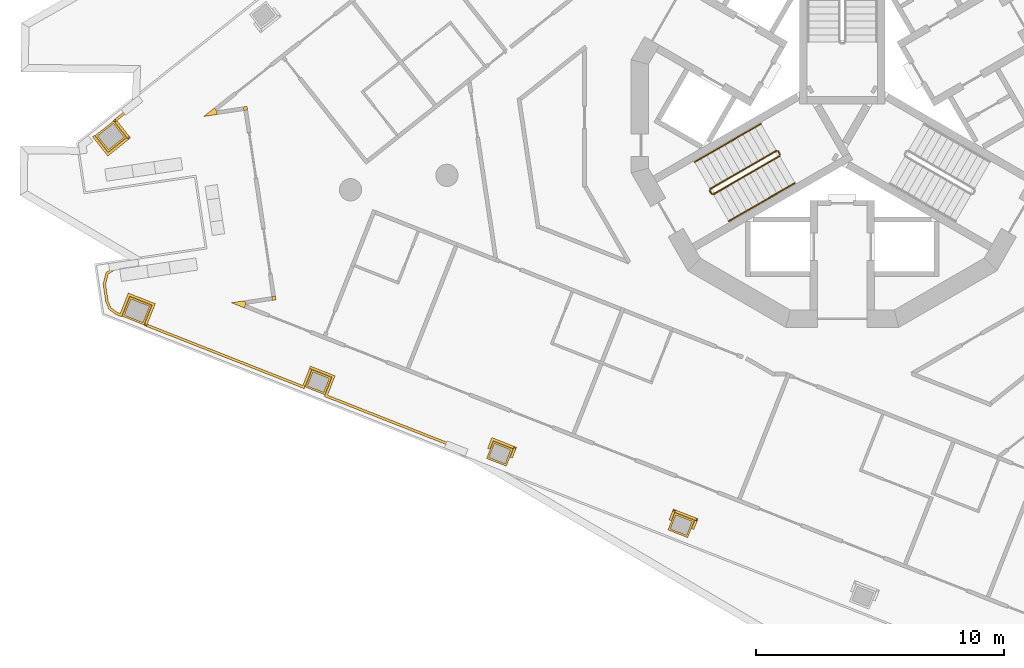
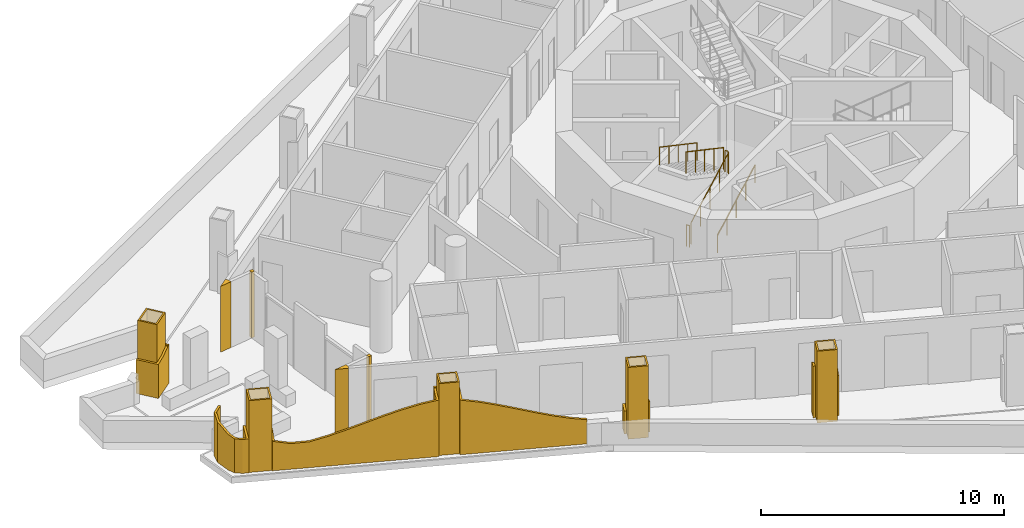
# One storey, part 11 of 16: 12 railings, 9 coverings.
"""IFC4 building model written with IfcOpenShell, lengths in metres."""

from ifc_helpers import new_model, si_unit, direction, frame, origin, origin_2d, place, context, subcontext, project, spatial, polyline, circle, outline, extrude, material, layer, layer_set, type_object, element, save


model = new_model("IFC4")

# Units and contexts
model_context = context("Model", 3, precision=1e-05, world=origin(), true_north=direction((0.0, 1.0)))
body_context = subcontext(model_context, "Body", "Model", "MODEL_VIEW")
ifc_project = project(units=[si_unit("LENGTHUNIT", "METRE"), si_unit("AREAUNIT", "SQUARE_METRE"), si_unit("VOLUMEUNIT", "CUBIC_METRE"), si_unit("PLANEANGLEUNIT", "RADIAN"), si_unit("MASSUNIT", "GRAM", prefix="KILO")], contexts=[model_context])

# Site, building, storey
site_placement = place(None, origin())
site = spatial("IfcSite", under=ifc_project, at=site_placement, CompositionType="ELEMENT")
building_placement = place(site_placement, origin())
building = spatial("IfcBuilding", under=site, at=building_placement, Name="Trine Commons Tower", CompositionType="ELEMENT")
storey_placement = place(building_placement, frame((0.0, 0.0, 198.0)))
storey = spatial("IfcBuildingStorey", under=building, at=storey_placement, Name="L51", CompositionType="ELEMENT", Elevation=198.0)

# Coverings
ifc_material_1 = material(Name="Aluminium-framed insulated wall panel", Category="aluminium")
ifc_layer_1 = layer(ifc_material_1, 0.14990234375)
ifc_layer_set_1 = layer_set([ifc_layer_1], Name="Aluminium-framed insulated wall panel")
covering_type_1 = type_object("IfcCoveringType", Name="Glazing corner post, aluminium", PredefinedType="CLADDING", material=ifc_layer_set_1)
covering_1_placement = place(storey_placement, origin())
element("IfcCovering", 1, at=covering_1_placement, inside=storey, type_object=covering_type_1, Name="Glazing corner post 6-01", PredefinedType="CLADDING", context=body_context, shape_type="SweptSolid", body=[
    extrude(outline(polyline([(54.83642578125, 62.5712890625), (54.814208984375, 62.7197265625), (54.720947265625, 62.837158203125), (54.28271484375, 62.488525390625), (54.83642578125, 62.5712890625)])), origin(), (0.0, 0.0, 1.0), 3.300048828125),
])
covering_2_placement = place(storey_placement, origin())
element("IfcCovering", 2, at=covering_2_placement, inside=storey, type_object=covering_type_1, Name="Glazing corner post 6-10", PredefinedType="CLADDING", context=body_context, shape_type="SweptSolid", body=[
    extrude(outline(polyline([(55.924072265625, 54.78662109375), (55.97900390625, 54.92626953125), (55.956787109375, 55.07470703125), (55.4033203125, 54.991943359375), (55.924072265625, 54.78662109375)])), origin(), (0.0, 0.0, 1.0), 3.300048828125),
])
covering_3_placement = place(storey_placement, origin())
element("IfcCovering", 3, at=covering_3_placement, inside=storey, type_object=covering_type_1, Name="Glazing corner post 6-11", PredefinedType="CLADDING", context=body_context, shape_type="SweptSolid", body=[
    extrude(outline(polyline([(57.030517578125, 55.235107421875), (57.052734375, 55.0869140625), (57.201171875, 55.10888671875), (57.178955078125, 55.25732421875), (57.030517578125, 55.235107421875)])), origin(), (0.0, 0.0, 1.0), 3.300048828125),
])
covering_4_placement = place(storey_placement, origin())
element("IfcCovering", 4, at=covering_4_placement, inside=storey, type_object=covering_type_1, Name="Glazing corner post 6-12", PredefinedType="CLADDING", context=body_context, shape_type="SweptSolid", body=[
    extrude(outline(polyline([(55.91015625, 62.731689453125), (55.91015625, 62.731689453125), (56.05859375, 62.75390625), (56.036376953125, 62.90234375), (55.887939453125, 62.880126953125), (55.91015625, 62.731689453125)])), origin(), (0.0, 0.0, 1.0), 3.300048828125),
])
ifc_material_2 = material(Name="Limestone, honed", Category="masonry")
ifc_layer_2 = layer(ifc_material_2, 0.074951171875)
ifc_layer_set_2 = layer_set([ifc_layer_2], Name="Limestone, honed")
covering_type_2 = type_object("IfcCoveringType", Name="Limestone column cladding 75", PredefinedType="CLADDING", material=ifc_layer_set_2)
covering_5_placement = place(storey_placement, origin())
element("IfcCovering", 5, at=covering_5_placement, inside=storey, type_object=covering_type_2, Name="Limestone pier cladding 6-04", PredefinedType="CLADDING", context=body_context, shape_type="SweptSolid", body=[
    extrude(outline(polyline([(73.25830078125, 46.545166015625), (72.9833984375, 45.847412109375), (73.7744140625, 45.535888671875), (74.04931640625, 46.233642578125), (73.25830078125, 46.545166015625)]), holes=[polyline([(73.30078125, 46.447998046875), (73.080810546875, 45.8896484375), (73.732177734375, 45.633056640625), (73.951904296875, 46.19140625), (73.30078125, 46.447998046875)])]), origin(), (0.0, 0.0, 1.0), 3.60009765625),
])
covering_6_placement = place(storey_placement, origin())
element("IfcCovering", 6, at=covering_6_placement, inside=storey, type_object=covering_type_2, Name="Limestone pier cladding 6-05", PredefinedType="CLADDING", context=body_context, shape_type="SweptSolid", body=[
    extrude(outline(polyline([(65.9541015625, 49.42236328125), (65.67919921875, 48.724609375), (66.47021484375, 48.4130859375), (66.7451171875, 49.11083984375), (65.9541015625, 49.42236328125)]), holes=[polyline([(65.996337890625, 49.3251953125), (65.776611328125, 48.766845703125), (66.427734375, 48.51025390625), (66.647705078125, 49.068603515625), (65.996337890625, 49.3251953125)])]), origin(), (0.0, 0.0, 1.0), 3.60009765625),
])
covering_7_placement = place(storey_placement, origin())
element("IfcCovering", 7, at=covering_7_placement, inside=storey, type_object=covering_type_2, Name="Limestone pier cladding 6-06", PredefinedType="CLADDING", context=body_context, shape_type="SweptSolid", body=[
    extrude(outline(polyline([(58.64990234375, 52.2998046875), (58.375, 51.601806640625), (59.165771484375, 51.290283203125), (59.440673828125, 51.988037109375), (58.64990234375, 52.2998046875)]), holes=[polyline([(58.692138671875, 52.202392578125), (58.47216796875, 51.644287109375), (59.12353515625, 51.3876953125), (59.343505859375, 51.94580078125), (58.692138671875, 52.202392578125)])]), origin(), (0.0, 0.0, 1.0), 3.60009765625),
])
covering_8_placement = place(storey_placement, origin())
element("IfcCovering", 8, at=covering_8_placement, inside=storey, type_object=covering_type_2, Name="Limestone pier cladding 6-07", PredefinedType="CLADDING", context=body_context, shape_type="SweptSolid", body=[
    extrude(outline(polyline([(51.317138671875, 55.24169921875), (51.005615234375, 54.450927734375), (51.8896484375, 54.102783203125), (52.201171875, 54.8935546875), (51.317138671875, 55.24169921875)]), holes=[polyline([(51.359619140625, 55.14453125), (51.10302734375, 54.493408203125), (51.847412109375, 54.2001953125), (52.103759765625, 54.851318359375), (51.359619140625, 55.14453125)])]), origin(), (0.0, 0.0, 1.0), 3.60009765625),
])
covering_9_placement = place(storey_placement, origin())
element("IfcCovering", 9, at=covering_9_placement, inside=storey, type_object=covering_type_2, Name="Limestone pier cladding 6-08", PredefinedType="CLADDING", context=body_context, shape_type="SweptSolid", body=[
    extrude(outline(polyline([(51.19189453125, 61.646484375), (50.662841796875, 62.311767578125), (49.919189453125, 61.72021484375), (50.448486328125, 61.05517578125), (51.19189453125, 61.646484375)]), holes=[polyline([(51.08642578125, 61.658447265625), (50.65087890625, 62.206298828125), (50.024658203125, 61.708251953125), (50.46044921875, 61.160400390625), (51.08642578125, 61.658447265625)])]), origin(), (0.0, 0.0, 1.0), 3.60009765625),
])

# Railings
ifc_material_3 = material(Name="Stainless steel balustrade", Category="steel")
railing_type_1 = type_object("IfcRailingType", Name="Stair guard, steel balustrade 1100", PredefinedType="GUARDRAIL", material=ifc_material_3)
railing_1_placement = place(storey_placement, frame((74.80517578125, 59.3564453125, 0.14990234375)))
element("IfcRailing", 10, at=railing_1_placement, inside=storey, type_object=railing_type_1, Name="L51 ST2C stair guard 1", PredefinedType="GUARDRAIL", context=body_context, shape_type="SweptSolid", body=[
    extrude(circle(Radius=0.02392578125, at=origin_2d()), frame((0.0, 0.0, 1.076171875), z_axis=(0.763379768245, 0.440728498818, 0.472239049384), x_axis=(-0.499992328818, 0.866029832698, 0.0)), (0.0, 0.0, 1.0), 3.494384765625),
    extrude(circle(Radius=0.02099609375, at=origin_2d()), origin(), (0.0, 0.0, 1.0), 1.052001953125),
    extrude(circle(Radius=0.02099609375, at=origin_2d()), frame((0.6669921875, 0.385009765625, 0.41259765625)), (0.0, 0.0, 1.0), 1.052001953125),
    extrude(circle(Radius=0.02099609375, at=origin_2d()), frame((1.333740234375, 0.77001953125, 0.8251953125)), (0.0, 0.0, 1.0), 1.052001953125),
    extrude(circle(Radius=0.02099609375, at=origin_2d()), frame((2.00048828125, 1.155029296875, 1.237548828125)), (0.0, 0.0, 1.0), 1.052001953125),
    extrude(circle(Radius=0.02099609375, at=origin_2d()), frame((2.66748046875, 1.5400390625, 1.650146484375)), (0.0, 0.0, 1.0), 1.052001953125),
])
railing_2_placement = place(storey_placement, frame((77.490966796875, 60.96484375, 1.800048828125)))
element("IfcRailing", 11, at=railing_2_placement, inside=storey, type_object=railing_type_1, Name="L51 ST2C stair guard 2", PredefinedType="GUARDRAIL", context=body_context, shape_type="SweptSolid", body=[
    extrude(circle(Radius=0.02392578125, at=origin_2d()), frame((0.0, 0.0, 1.076171875), z_axis=(-0.501036270542, 0.865426285481, 0.0), x_axis=(-0.865426285481, -0.501036270542, 0.0)), (0.0, 0.0, 1.0), 0.150146484375),
    extrude(circle(Radius=0.02099609375, at=origin_2d()), origin(), (0.0, 0.0, 1.0), 1.052001953125),
    extrude(circle(Radius=0.02099609375, at=origin_2d()), frame((-0.0751953125, 0.1298828125, 0.0)), (0.0, 0.0, 1.0), 1.052001953125),
])
railing_3_placement = place(storey_placement, frame((77.34765625, 61.113037109375, 1.949951171875)))
element("IfcRailing", 12, at=railing_3_placement, inside=storey, type_object=railing_type_1, Name="L51 ST2C stair guard 3", PredefinedType="GUARDRAIL", context=body_context, shape_type="SweptSolid", body=[
    extrude(circle(Radius=0.02392578125, at=origin_2d()), frame((0.0, 0.0, 1.076171875), z_axis=(-0.763379768245, -0.440728498818, 0.472239049384), x_axis=(0.499992328818, -0.866029832698, 0.0)), (0.0, 0.0, 1.0), 3.494384765625),
    extrude(circle(Radius=0.02099609375, at=origin_2d()), origin(), (0.0, 0.0, 1.0), 1.052001953125),
    extrude(circle(Radius=0.02099609375, at=origin_2d()), frame((-0.6669921875, -0.385009765625, 0.41259765625)), (0.0, 0.0, 1.0), 1.052001953125),
    extrude(circle(Radius=0.02099609375, at=origin_2d()), frame((-1.333740234375, -0.77001953125, 0.8251953125)), (0.0, 0.0, 1.0), 1.052001953125),
    extrude(circle(Radius=0.02099609375, at=origin_2d()), frame((-2.00048828125, -1.155029296875, 1.237548828125)), (0.0, 0.0, 1.0), 1.052001953125),
    extrude(circle(Radius=0.02099609375, at=origin_2d()), frame((-2.66748046875, -1.5400390625, 1.650146484375)), (0.0, 0.0, 1.0), 1.052001953125),
])
railing_4_placement = place(storey_placement, frame((74.73681640625, 59.374755859375, 0.0)))
element("IfcRailing", 13, at=railing_4_placement, inside=storey, type_object=railing_type_1, Name="L51 ST2C stair guard 4", PredefinedType="GUARDRAIL", context=body_context, shape_type="SweptSolid", body=[
    extrude(circle(Radius=0.02392578125, at=origin_2d()), frame((0.0, 0.0, 1.076171875), z_axis=(-0.499816412211, 0.866131372301, 0.0), x_axis=(-0.866131372301, -0.499816412211, 0.0)), (0.0, 0.0, 1.0), 0.14990234375),
    extrude(circle(Radius=0.02099609375, at=origin_2d()), origin(), (0.0, 0.0, 1.0), 1.052001953125),
    extrude(circle(Radius=0.02099609375, at=origin_2d()), frame((-0.074951171875, 0.1298828125, 0.0)), (0.0, 0.0, 1.0), 1.052001953125),
])
ifc_material_4 = material(Name="Stainless steel handrail", Category="steel")
railing_type_2 = type_object("IfcRailingType", Name="Stair handrail, steel 900", PredefinedType="HANDRAIL", material=ifc_material_4)
railing_5_placement = place(storey_placement, frame((75.43017578125, 58.27392578125, 0.14990234375)))
element("IfcRailing", 14, at=railing_5_placement, inside=storey, type_object=railing_type_2, Name="L51 ST2C stair handrail 1", PredefinedType="HANDRAIL", context=body_context, shape_type="SweptSolid", body=[
    extrude(circle(Radius=0.02099609375, at=origin_2d()), frame((0.0, 0.0, 0.87890625), z_axis=(0.763354580307, 0.440713956853, 0.472293333596), x_axis=(-0.499992328818, 0.866029832698, 0.0)), (0.0, 0.0, 1.0), 1.747314453125),
    extrude(circle(Radius=0.01513671875, at=origin_2d()), origin(), (0.0, 0.0, 1.0), 0.85791015625),
    extrude(circle(Radius=0.01513671875, at=origin_2d()), frame((0.6669921875, 0.385009765625, 0.41259765625)), (0.0, 0.0, 1.0), 0.85791015625),
    extrude(circle(Radius=0.01513671875, at=origin_2d()), frame((1.333740234375, 0.77001953125, 0.8251953125)), (0.0, 0.0, 1.0), 0.85791015625),
])
railing_6_placement = place(storey_placement, frame((76.763916015625, 59.0439453125, 0.97509765625)))
element("IfcRailing", 15, at=railing_6_placement, inside=storey, type_object=railing_type_2, Name="L51 ST2C stair handrail 2", PredefinedType="HANDRAIL", context=body_context, shape_type="SweptSolid", body=[
    extrude(circle(Radius=0.02099609375, at=origin_2d()), frame((0.0, 0.0, 0.87890625), z_axis=(0.76340495495, 0.440743040072, 0.472184759798), x_axis=(-0.499992328818, 0.866029832698, 0.0)), (0.0, 0.0, 1.0), 1.7470703125),
    extrude(circle(Radius=0.01513671875, at=origin_2d()), origin(), (0.0, 0.0, 1.0), 0.85791015625),
    extrude(circle(Radius=0.01513671875, at=origin_2d()), frame((0.6669921875, 0.385009765625, 0.41259765625)), (0.0, 0.0, 1.0), 0.85791015625),
    extrude(circle(Radius=0.01513671875, at=origin_2d()), frame((1.333740234375, 0.77001953125, 0.824951171875)), (0.0, 0.0, 1.0), 0.85791015625),
])
railing_7_placement = place(storey_placement, frame((76.72265625, 62.195556640625, 1.949951171875)))
element("IfcRailing", 16, at=railing_7_placement, inside=storey, type_object=railing_type_2, Name="L51 ST2C stair handrail 3", PredefinedType="HANDRAIL", context=body_context, shape_type="SweptSolid", body=[
    extrude(circle(Radius=0.02099609375, at=origin_2d()), frame((0.0, 0.0, 0.87890625), z_axis=(-0.76340495495, -0.440743040072, 0.472184759798), x_axis=(0.499992328818, -0.866029832698, 0.0)), (0.0, 0.0, 1.0), 1.7470703125),
    extrude(circle(Radius=0.01513671875, at=origin_2d()), origin(), (0.0, 0.0, 1.0), 0.85791015625),
    extrude(circle(Radius=0.01513671875, at=origin_2d()), frame((-0.6669921875, -0.385009765625, 0.41259765625)), (0.0, 0.0, 1.0), 0.85791015625),
    extrude(circle(Radius=0.01513671875, at=origin_2d()), frame((-1.333740234375, -0.77001953125, 0.824951171875)), (0.0, 0.0, 1.0), 0.85791015625),
])
railing_8_placement = place(storey_placement, frame((75.388916015625, 61.425537109375, 2.77490234375)))
element("IfcRailing", 17, at=railing_8_placement, inside=storey, type_object=railing_type_2, Name="L51 ST2C stair handrail 4", PredefinedType="HANDRAIL", context=body_context, shape_type="SweptSolid", body=[
    extrude(circle(Radius=0.02099609375, at=origin_2d()), frame((0.0, 0.0, 0.87890625), z_axis=(-0.763354580307, -0.440713956853, 0.472293333596), x_axis=(0.499992328818, -0.866029832698, 0.0)), (0.0, 0.0, 1.0), 1.747314453125),
    extrude(circle(Radius=0.01513671875, at=origin_2d()), origin(), (0.0, 0.0, 1.0), 0.85791015625),
    extrude(circle(Radius=0.01513671875, at=origin_2d()), frame((-0.6669921875, -0.385009765625, 0.41259765625)), (0.0, 0.0, 1.0), 0.85791015625),
    extrude(circle(Radius=0.01513671875, at=origin_2d()), frame((-1.333740234375, -0.77001953125, 0.8251953125)), (0.0, 0.0, 1.0), 0.85791015625),
])
ifc_material_5 = material(Name="White powder-coated aluminium", Category="aluminium")
ifc_layer_3 = layer(ifc_material_5, 0.10009765625)
ifc_layer_set_3 = layer_set([ifc_layer_3], Name="White powder-coated aluminium")
railing_type_3 = type_object("IfcRailingType", Name="White balustrade band 100", PredefinedType="GUARDRAIL", material=ifc_layer_set_3)
railing_9_placement = place(storey_placement, origin())
element("IfcRailing", 18, at=railing_9_placement, inside=storey, type_object=railing_type_3, Name="Guard band L51 3", PredefinedType="GUARDRAIL", context=body_context, shape_type="SweptSolid", body=[
    extrude(outline(polyline([(0.0, 0.0), (0.4658203125, 0.0), (0.4658203125, 2.169921875), (0.4658203125, 2.169921875), (0.0, 2.00830078125), (0.0, 0.0)])), frame((73.928466796875, 45.899658203125, 0.0), z_axis=(0.93045172225, -0.366414509213, 0.0), x_axis=(0.366414509213, 0.93045172225, 0.0)), (0.0, 0.0, 1.0), 0.10009765625),
    extrude(outline(polyline([(0.0, 0.0), (1.07177734375, 0.0), (1.07177734375, 2.482666015625), (0.535888671875, 2.3154296875), (0.0, 2.134765625), (0.0, 0.0)])), frame((74.15625, 46.2021484375, 0.0), z_axis=(0.366476719469, 0.930427221274, 0.0), x_axis=(-0.930427221274, 0.366476719469, 0.0)), (0.0, 0.0, 1.0), 0.10009765625),
    extrude(outline(polyline([(0.0, 0.0), (0.465576171875, 0.0), (0.465576171875, 2.584716796875), (0.0, 2.452392578125), (0.0, 0.0)])), frame((73.289794921875, 46.651611328125, 0.0), z_axis=(-0.930381292098, 0.36659330506, 0.0), x_axis=(-0.36659330506, -0.930381292098, 0.0)), (0.0, 0.0, 1.0), 0.10009765625),
])
railing_10_placement = place(storey_placement, origin())
element("IfcRailing", 19, at=railing_10_placement, inside=storey, type_object=railing_type_3, Name="Guard band L51 4", PredefinedType="GUARDRAIL", context=body_context, shape_type="SweptSolid", body=[
    extrude(outline(polyline([(0.0, 0.0), (0.46630859375, 0.0), (0.46630859375, 1.39208984375), (0.46630859375, 1.39208984375), (0.0, 1.521484375), (0.0, 0.0)])), frame((66.6240234375, 48.77685546875, 0.0), z_axis=(0.93041380339, -0.366510783553, 0.0), x_axis=(0.366510783553, 0.93041380339, 0.0)), (0.0, 0.0, 1.0), 0.10009765625),
    extrude(outline(polyline([(0.0, 0.0), (1.072021484375, 0.0), (1.072021484375, 1.19091796875), (0.5361328125, 1.28955078125), (0.0, 1.4189453125), (0.0, 0.0)])), frame((66.851806640625, 49.07958984375, 0.0), z_axis=(0.366399070757, 0.93045780181, 0.0), x_axis=(-0.93045780181, 0.366399070757, 0.0)), (0.0, 0.0, 1.0), 0.10009765625),
    extrude(outline(polyline([(0.0, 0.0), (0.466064453125, 0.0), (0.466064453125, 1.1435546875), (0.0, 1.20703125), (0.0, 0.0)])), frame((65.985595703125, 49.529296875, 0.0), z_axis=(-0.930522049423, 0.366235874182, 0.0), x_axis=(-0.366235874182, -0.930522049423, 0.0)), (0.0, 0.0, 1.0), 0.10009765625),
])
railing_11_placement = place(storey_placement, origin())
element("IfcRailing", 20, at=railing_11_placement, inside=storey, type_object=railing_type_3, Name="Guard band L51 5", PredefinedType="GUARDRAIL", context=body_context, shape_type="SweptSolid", body=[
    extrude(outline(polyline([(0.0, 0.0), (5.269775390625, 0.0), (5.26953125, 2.74169921875), (5.26953125, 2.74169921875), (4.493896484375, 2.557373046875), (3.718017578125, 2.322998046875), (2.9423828125, 2.059326171875), (2.16650390625, 1.79052734375), (1.390869140625, 1.54052734375), (0.614990234375, 1.331787109375), (0.0, 1.2138671875), (0.0, 0.0)])), frame((64.0498046875, 49.285888671875, 0.0), z_axis=(0.366464967139, 0.930431850196, 0.0), x_axis=(-0.930431850196, 0.366464967139, 0.0)), (0.0, 0.0, 1.0), 0.10009765625),
    extrude(outline(polyline([(0.0, 0.0), (0.9365234375, 0.0), (0.9365234375, 2.865478515625), (0.46826171875, 2.780029296875), (0.0, 2.72119140625), (0.0, 0.0)])), frame((59.147216796875, 51.21630859375, 0.0), z_axis=(0.930405698848, -0.366531356845, 0.0), x_axis=(0.366531356845, 0.930405698848, 0.0)), (0.0, 0.0, 1.0), 0.10009765625),
    extrude(outline(polyline([(0.0, 0.0), (1.07177734375, 0.0), (1.07177734375, 2.895751953125), (0.818603515625, 2.89990234375), (0.535888671875, 2.89453125), (0.0, 2.85498046875), (0.0, 0.0)])), frame((59.54736328125, 51.956787109375, 0.0), z_axis=(0.366554398544, 0.93039662129, 0.0), x_axis=(-0.93039662129, 0.366554398544, 0.0)), (0.0, 0.0, 1.0), 0.10009765625),
    extrude(outline(polyline([(0.0, 0.0), (0.93701171875, 0.0), (0.93701171875, 2.821044921875), (0.468505859375, 2.780029296875), (0.0, 2.8984375), (0.0, 0.0)])), frame((58.68115234375, 52.406494140625, 0.0), z_axis=(-0.930475693063, 0.366353633281, 0.0), x_axis=(-0.366353633281, -0.930475693063, 0.0)), (0.0, 0.0, 1.0), 0.10009765625),
    extrude(outline(polyline([(0.0, 0.0), (6.932861328125, 0.0), (6.9326171875, 1.478515625), (6.162353515625, 1.285888671875), (5.39208984375, 1.293212890625), (4.621826171875, 1.48828125), (3.8515625, 1.72900390625), (3.081298828125, 1.99365234375), (2.310791015625, 2.2587890625), (1.54052734375, 2.501220703125), (0.770263671875, 2.698974609375), (0.0, 2.8349609375), (0.0, 0.0)])), frame((58.339111328125, 51.53515625, 0.0), z_axis=(0.366516204527, 0.930411667929, 0.0), x_axis=(-0.930411667929, 0.366516204527, 0.0)), (0.0, 0.0, 1.0), 0.10009765625),
    extrude(outline(polyline([(0.0, 0.0), (0.98681640625, 0.0), (0.98681640625, 1.699951171875), (0.493408203125, 1.65771484375), (0.28173828125, 1.56591796875), (0.0, 1.444091796875), (0.0, 0.0)])), frame((51.889404296875, 54.075439453125, 0.0), z_axis=(0.930459515066, -0.366394719972, 0.0), x_axis=(0.366394719972, 0.930459515066, 0.0)), (0.0, 0.0, 1.0), 0.10009765625),
    extrude(outline(polyline([(0.0, 0.0), (1.17138671875, 0.0), (1.171142578125, 1.699951171875), (0.585693359375, 1.699951171875), (0.0, 1.699951171875), (0.0, 0.0)])), frame((52.3076171875, 54.8623046875, 0.0), z_axis=(0.366426098605, 0.930447158232, 0.0), x_axis=(-0.930447158232, 0.366426098605, 0.0)), (0.0, 0.0, 1.0), 0.10009765625),
    extrude(outline(polyline([(0.0, 0.0), (0.986328125, 0.0), (0.986572265625, 1.699951171875), (0.4931640625, 1.699951171875), (0.0, 1.699951171875), (0.0, 0.0)])), frame((51.3486328125, 55.348388671875, 0.0), z_axis=(-0.930393045546, 0.366563474449, 0.0), x_axis=(-0.366563474449, -0.930393045546, 0.0)), (0.0, 0.0, 1.0), 0.10009765625),
    extrude(outline(polyline([(0.0, 0.0), (0.26123046875, 0.0), (0.26123046875, 1.699951171875), (0.0, 1.699951171875), (0.0, 0.0)])), frame((50.988037109375, 54.430908203125, 0.0), z_axis=(0.366230408297, 0.930524200673, 0.0), x_axis=(-0.930524200673, 0.366230408297, 0.0)), (0.0, 0.0, 1.0), 0.10009765625),
    extrude(outline(polyline([(0.0, 0.0), (0.33251953125, 0.0), (0.33251953125, 1.699951171875), (0.0, 1.699951171875), (0.0, 0.0)])), frame((50.746337890625, 54.52587890625, 0.0), z_axis=(0.594700672807, 0.803947205831, 0.0), x_axis=(-0.803947205831, 0.594700672807, 0.0)), (0.0, 0.0, 1.0), 0.10009765625),
    extrude(outline(polyline([(0.0, 0.0), (0.332275390625, 0.0), (0.332275390625, 1.789306640625), (0.0, 1.699951171875), (0.0, 0.0)])), frame((50.47998046875, 54.72265625, 0.0), z_axis=(0.917233563796, 0.398349832995, 0.0), x_axis=(-0.398349832995, 0.917233563796, 0.0)), (0.0, 0.0, 1.0), 0.10009765625),
    extrude(outline(polyline([(0.0, 0.0), (0.720703125, 0.0), (0.720458984375, 2.03369140625), (0.0, 1.784423828125), (0.0, 0.0)])), frame((50.34814453125, 55.02587890625, 0.0), z_axis=(0.988978560129, 0.148058797799, 0.0), x_axis=(-0.148058797799, 0.988978560129, 0.0)), (0.0, 0.0, 1.0), 0.10009765625),
    extrude(outline(polyline([(0.0, 0.0), (0.491943359375, 0.0), (0.491943359375, 2.1962890625), (0.0, 2.026123046875), (0.0, 0.0)])), frame((50.24169921875, 55.736572265625, 0.0), z_axis=(0.970346531386, -0.241718036207, 0.0), x_axis=(0.241718036207, 0.970346531386, 0.0)), (0.0, 0.0, 1.0), 0.10009765625),
    extrude(outline(polyline([(0.0, 0.0), (0.372802734375, 0.0), (0.373046875, 2.305908203125), (0.0, 2.181396484375), (0.0, 0.0)])), frame((50.359619140625, 56.212158203125, 0.0), z_axis=(0.515265808427, -0.857030423419, 0.0), x_axis=(0.857030423419, 0.515265808427, 0.0)), (0.0, 0.0, 1.0), 0.10009765625),
])
railing_12_placement = place(storey_placement, origin())
element("IfcRailing", 21, at=railing_12_placement, inside=storey, type_object=railing_type_3, Name="Guard band L51 6", PredefinedType="GUARDRAIL", context=body_context, shape_type="SweptSolid", body=[
    extrude(outline(polyline([(0.0, 0.0), (0.986328125, 0.0), (0.986328125, 1.699951171875), (0.4931640625, 1.699951171875), (0.0, 1.699951171875), (0.0, 0.0)])), frame((49.8955078125, 61.734375, 0.0), z_axis=(-0.782628458891, -0.622489112622, 0.0), x_axis=(0.622489112622, -0.782628458891, 0.0)), (0.0, 0.0, 1.0), 0.10009765625),
    extrude(outline(polyline([(0.0, 0.0), (1.17138671875, 0.0), (1.171630859375, 1.962890625), (0.585693359375, 1.76123046875), (0.0, 1.699951171875), (0.0, 0.0)])), frame((50.367919921875, 60.978271484375, 0.0), z_axis=(0.622532268925, -0.782594131173, 0.0), x_axis=(0.782594131173, 0.622532268925, 0.0)), (0.0, 0.0, 1.0), 0.10009765625),
    extrude(outline(polyline([(0.0, 0.0), (0.98681640625, 0.0), (0.98681640625, 2.267822265625), (0.493408203125, 2.099609375), (0.0, 1.927490234375), (0.0, 0.0)])), frame((51.268798828125, 61.565673828125, 0.0), z_axis=(0.78269965067, 0.622399595792, 0.0), x_axis=(-0.622399595792, 0.78269965067, 0.0)), (0.0, 0.0, 1.0), 0.10009765625),
    extrude(outline(polyline([(0.0, 0.0), (0.523193359375, 0.0), (0.52294921875, 2.400390625), (0.0, 2.23388671875), (0.0, 0.0)])), frame((50.654541015625, 62.337158203125, 0.0), z_axis=(0.622530061601, -0.782595887035, 0.0), x_axis=(0.782595887035, 0.622530061601, 0.0)), (0.0, 0.0, 1.0), 0.10009765625),
])

save(model, "model.ifc")
